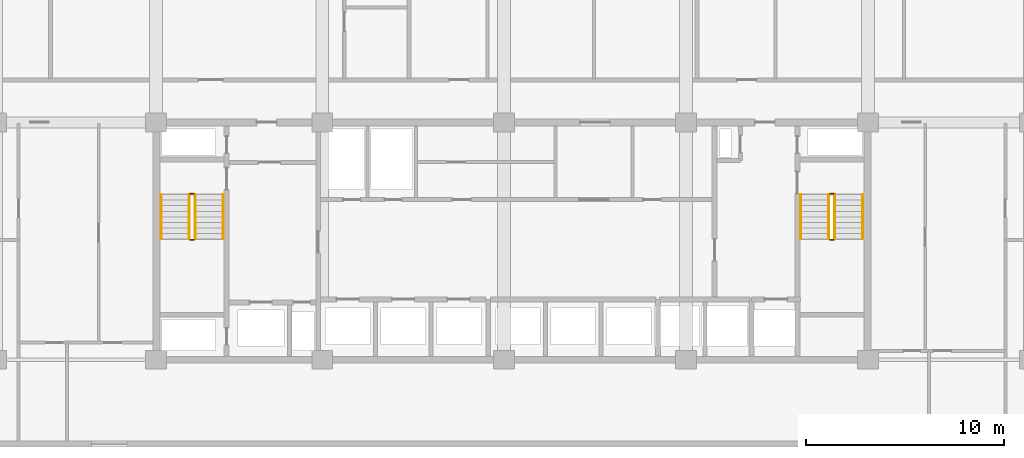
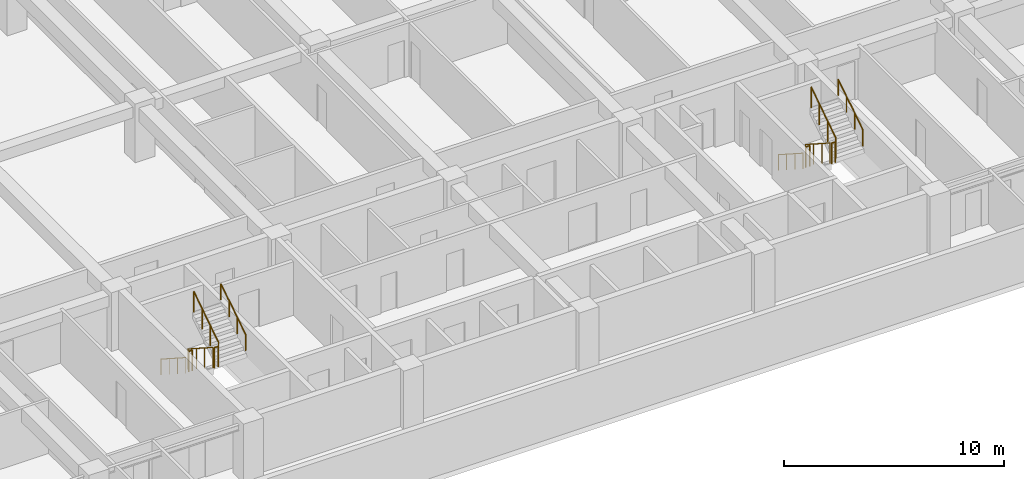
# One storey, part 23 of 24: 12 railings.
"""IFC4 building model written with IfcOpenShell, lengths in metres."""

from ifc_helpers import new_model, si_unit, direction, frame, origin, origin_2d, place, context, subcontext, project, spatial, circle, extrude, material, type_object, element, save


model = new_model("IFC4")

# Units and contexts
model_context = context("Model", 3, precision=1e-05, world=origin(), true_north=direction((0.0, 1.0)))
body_context = subcontext(model_context, "Body", "Model", "MODEL_VIEW")
ifc_project = project(units=[si_unit("LENGTHUNIT", "METRE"), si_unit("AREAUNIT", "SQUARE_METRE"), si_unit("VOLUMEUNIT", "CUBIC_METRE"), si_unit("PLANEANGLEUNIT", "RADIAN"), si_unit("MASSUNIT", "GRAM", prefix="KILO")], contexts=[model_context])

# Site, building, storey
site_placement = place(None, origin())
site = spatial("IfcSite", under=ifc_project, at=site_placement, CompositionType="ELEMENT")
building_placement = place(site_placement, origin())
building = spatial("IfcBuilding", under=site, at=building_placement, Name="Korimba Cascade Residences", CompositionType="ELEMENT")
storey_placement = place(building_placement, frame((0.0, 0.0, 43.5)))
storey = spatial("IfcBuildingStorey", under=building, at=storey_placement, Name="L11", CompositionType="ELEMENT", Elevation=43.5)

# Railings
ifc_material_1 = material(Name="Painted Steel Stairwell Guardrail", Category="steel")
railing_type_1 = type_object("IfcRailingType", Name="RLG-ST-GD1150", PredefinedType="GUARDRAIL", material=ifc_material_1)
railing_1_placement = place(storey_placement, frame((77.77001953125, 63.550048828125, 0.1806640625)))
element("IfcRailing", 1, at=railing_1_placement, inside=storey, type_object=railing_type_1, Name="L11 ST-W1 stair guard 1", PredefinedType="GUARDRAIL", context=body_context, shape_type="SweptSolid", body=[
    extrude(circle(Radius=0.02392578125, at=origin_2d()), frame((0.0, 0.0, 1.1259765625), z_axis=(0.0, -0.840436612492, 0.541909863706), x_axis=(1.0, 0.0, 0.0)), (0.0, 0.0, 1.0), 2.665283203125),
    extrude(circle(Radius=0.02099609375, at=origin_2d()), origin(), (0.0, 0.0, 1.0), 1.101806640625),
    extrude(circle(Radius=0.02099609375, at=origin_2d()), frame((0.0, -0.74658203125, 0.4814453125)), (0.0, 0.0, 1.0), 1.101806640625),
    extrude(circle(Radius=0.02099609375, at=origin_2d()), frame((0.0, -1.493408203125, 0.962890625)), (0.0, 0.0, 1.0), 1.101806640625),
    extrude(circle(Radius=0.02099609375, at=origin_2d()), frame((0.0, -2.239990234375, 1.4443359375)), (0.0, 0.0, 1.0), 1.101806640625),
])
railing_2_placement = place(storey_placement, frame((77.820068359375, 61.260009765625, 1.625)))
element("IfcRailing", 2, at=railing_2_placement, inside=storey, type_object=railing_type_1, Name="L11 ST-W1 stair guard 2", PredefinedType="GUARDRAIL", context=body_context, shape_type="SweptSolid", body=[
    extrude(circle(Radius=0.02392578125, at=origin_2d()), frame((0.0, 0.0, 1.1259765625), z_axis=(1.0, 0.0, 0.0), x_axis=(0.0, 1.0, 0.0)), (0.0, 0.0, 1.0), 0.199951171875),
    extrude(circle(Radius=0.02099609375, at=origin_2d()), origin(), (0.0, 0.0, 1.0), 1.101806640625),
    extrude(circle(Radius=0.02099609375, at=origin_2d()), frame((0.199951171875, 0.0, 0.0)), (0.0, 0.0, 1.0), 1.101806640625),
])
railing_3_placement = place(storey_placement, frame((78.070068359375, 61.31005859375, 1.8056640625)))
element("IfcRailing", 3, at=railing_3_placement, inside=storey, type_object=railing_type_1, Name="L11 ST-W1 stair guard 3", PredefinedType="GUARDRAIL", context=body_context, shape_type="SweptSolid", body=[
    extrude(circle(Radius=0.02392578125, at=origin_2d()), frame((0.0, 0.0, 1.1259765625), z_axis=(0.0, 0.840436612492, 0.541909863706), x_axis=(-1.0, 0.0, 0.0)), (0.0, 0.0, 1.0), 2.665283203125),
    extrude(circle(Radius=0.02099609375, at=origin_2d()), origin(), (0.0, 0.0, 1.0), 1.101806640625),
    extrude(circle(Radius=0.02099609375, at=origin_2d()), frame((0.0, 0.74658203125, 0.4814453125)), (0.0, 0.0, 1.0), 1.101806640625),
    extrude(circle(Radius=0.02099609375, at=origin_2d()), frame((0.0, 1.493408203125, 0.962890625)), (0.0, 0.0, 1.0), 1.101806640625),
    extrude(circle(Radius=0.02099609375, at=origin_2d()), frame((0.0, 2.239990234375, 1.4443359375)), (0.0, 0.0, 1.0), 1.101806640625),
])
railing_4_placement = place(storey_placement, frame((77.820068359375, 63.60009765625, 0.0)))
element("IfcRailing", 4, at=railing_4_placement, inside=storey, type_object=railing_type_1, Name="L11 ST-W1 stair guard 4", PredefinedType="GUARDRAIL", context=body_context, shape_type="SweptSolid", body=[
    extrude(circle(Radius=0.02392578125, at=origin_2d()), frame((0.0, 0.0, 1.1259765625), z_axis=(1.0, 0.0, 0.0), x_axis=(0.0, 1.0, 0.0)), (0.0, 0.0, 1.0), 0.199951171875),
    extrude(circle(Radius=0.02099609375, at=origin_2d()), origin(), (0.0, 0.0, 1.0), 1.101806640625),
    extrude(circle(Radius=0.02099609375, at=origin_2d()), frame((0.199951171875, 0.0, 0.0)), (0.0, 0.0, 1.0), 1.101806640625),
])
railing_5_placement = place(storey_placement, frame((110.1298828125, 63.550048828125, 0.1806640625)))
element("IfcRailing", 5, at=railing_5_placement, inside=storey, type_object=railing_type_1, Name="L11 ST-W2 stair guard 1", PredefinedType="GUARDRAIL", context=body_context, shape_type="SweptSolid", body=[
    extrude(circle(Radius=0.02392578125, at=origin_2d()), frame((0.0, 0.0, 1.1259765625), z_axis=(0.0, -0.840436612492, 0.541909863706), x_axis=(1.0, 0.0, 0.0)), (0.0, 0.0, 1.0), 2.665283203125),
    extrude(circle(Radius=0.02099609375, at=origin_2d()), origin(), (0.0, 0.0, 1.0), 1.101806640625),
    extrude(circle(Radius=0.02099609375, at=origin_2d()), frame((0.0, -0.74658203125, 0.4814453125)), (0.0, 0.0, 1.0), 1.101806640625),
    extrude(circle(Radius=0.02099609375, at=origin_2d()), frame((0.0, -1.493408203125, 0.962890625)), (0.0, 0.0, 1.0), 1.101806640625),
    extrude(circle(Radius=0.02099609375, at=origin_2d()), frame((0.0, -2.239990234375, 1.4443359375)), (0.0, 0.0, 1.0), 1.101806640625),
])
railing_6_placement = place(storey_placement, frame((110.179931640625, 61.260009765625, 1.625)))
element("IfcRailing", 6, at=railing_6_placement, inside=storey, type_object=railing_type_1, Name="L11 ST-W2 stair guard 2", PredefinedType="GUARDRAIL", context=body_context, shape_type="SweptSolid", body=[
    extrude(circle(Radius=0.02392578125, at=origin_2d()), frame((0.0, 0.0, 1.1259765625), z_axis=(1.0, 0.0, 0.0), x_axis=(0.0, 1.0, 0.0)), (0.0, 0.0, 1.0), 0.199951171875),
    extrude(circle(Radius=0.02099609375, at=origin_2d()), origin(), (0.0, 0.0, 1.0), 1.101806640625),
    extrude(circle(Radius=0.02099609375, at=origin_2d()), frame((0.199951171875, 0.0, 0.0)), (0.0, 0.0, 1.0), 1.101806640625),
])
railing_7_placement = place(storey_placement, frame((110.429931640625, 61.31005859375, 1.8056640625)))
element("IfcRailing", 7, at=railing_7_placement, inside=storey, type_object=railing_type_1, Name="L11 ST-W2 stair guard 3", PredefinedType="GUARDRAIL", context=body_context, shape_type="SweptSolid", body=[
    extrude(circle(Radius=0.02392578125, at=origin_2d()), frame((0.0, 0.0, 1.1259765625), z_axis=(0.0, 0.840436612492, 0.541909863706), x_axis=(-1.0, 0.0, 0.0)), (0.0, 0.0, 1.0), 2.665283203125),
    extrude(circle(Radius=0.02099609375, at=origin_2d()), origin(), (0.0, 0.0, 1.0), 1.101806640625),
    extrude(circle(Radius=0.02099609375, at=origin_2d()), frame((0.0, 0.74658203125, 0.4814453125)), (0.0, 0.0, 1.0), 1.101806640625),
    extrude(circle(Radius=0.02099609375, at=origin_2d()), frame((0.0, 1.493408203125, 0.962890625)), (0.0, 0.0, 1.0), 1.101806640625),
    extrude(circle(Radius=0.02099609375, at=origin_2d()), frame((0.0, 2.239990234375, 1.4443359375)), (0.0, 0.0, 1.0), 1.101806640625),
])
railing_8_placement = place(storey_placement, frame((110.179931640625, 63.60009765625, 0.0)))
element("IfcRailing", 8, at=railing_8_placement, inside=storey, type_object=railing_type_1, Name="L11 ST-W2 stair guard 4", PredefinedType="GUARDRAIL", context=body_context, shape_type="SweptSolid", body=[
    extrude(circle(Radius=0.02392578125, at=origin_2d()), frame((0.0, 0.0, 1.1259765625), z_axis=(1.0, 0.0, 0.0), x_axis=(0.0, 1.0, 0.0)), (0.0, 0.0, 1.0), 0.199951171875),
    extrude(circle(Radius=0.02099609375, at=origin_2d()), origin(), (0.0, 0.0, 1.0), 1.101806640625),
    extrude(circle(Radius=0.02099609375, at=origin_2d()), frame((0.199951171875, 0.0, 0.0)), (0.0, 0.0, 1.0), 1.101806640625),
])
ifc_material_2 = material(Name="Brushed Stainless Steel Handrail", Category="steel")
railing_type_2 = type_object("IfcRailingType", Name="RLG-ST-HR900", PredefinedType="HANDRAIL", material=ifc_material_2)
railing_9_placement = place(storey_placement, frame((76.35009765625, 63.550048828125, 0.364990234375)))
element("IfcRailing", 9, at=railing_9_placement, inside=storey, type_object=railing_type_2, Name="L11 ST-W1 stair handrail 1", PredefinedType="HANDRAIL", context=body_context, shape_type="SweptSolid", body=[
    extrude(circle(Radius=0.02392578125, at=origin_2d()), frame((0.0, 0.0, 0.8759765625), z_axis=(0.0, -0.840436612492, 0.541909863706), x_axis=(1.0, 0.0, 0.0)), (0.0, 0.0, 1.0), 2.665283203125),
    extrude(circle(Radius=0.02099609375, at=origin_2d()), origin(), (0.0, 0.0, 1.0), 0.851806640625),
    extrude(circle(Radius=0.02099609375, at=origin_2d()), frame((0.0, -0.74658203125, 0.4814453125)), (0.0, 0.0, 1.0), 0.851806640625),
    extrude(circle(Radius=0.02099609375, at=origin_2d()), frame((0.0, -1.493408203125, 0.962890625)), (0.0, 0.0, 1.0), 0.851806640625),
    extrude(circle(Radius=0.02099609375, at=origin_2d()), frame((0.0, -2.239990234375, 1.4443359375)), (0.0, 0.0, 1.0), 0.851806640625),
])
railing_10_placement = place(storey_placement, frame((79.489990234375, 61.31005859375, 1.989990234375)))
element("IfcRailing", 10, at=railing_10_placement, inside=storey, type_object=railing_type_2, Name="L11 ST-W1 stair handrail 2", PredefinedType="HANDRAIL", context=body_context, shape_type="SweptSolid", body=[
    extrude(circle(Radius=0.02392578125, at=origin_2d()), frame((0.0, 0.0, 0.8759765625), z_axis=(0.0, 0.840436612492, 0.541909863706), x_axis=(-1.0, 0.0, 0.0)), (0.0, 0.0, 1.0), 2.665283203125),
    extrude(circle(Radius=0.02099609375, at=origin_2d()), origin(), (0.0, 0.0, 1.0), 0.851806640625),
    extrude(circle(Radius=0.02099609375, at=origin_2d()), frame((0.0, 0.74658203125, 0.4814453125)), (0.0, 0.0, 1.0), 0.851806640625),
    extrude(circle(Radius=0.02099609375, at=origin_2d()), frame((0.0, 1.493408203125, 0.962890625)), (0.0, 0.0, 1.0), 0.851806640625),
    extrude(circle(Radius=0.02099609375, at=origin_2d()), frame((0.0, 2.239990234375, 1.4443359375)), (0.0, 0.0, 1.0), 0.851806640625),
])
railing_11_placement = place(storey_placement, frame((108.7099609375, 63.550048828125, 0.364990234375)))
element("IfcRailing", 11, at=railing_11_placement, inside=storey, type_object=railing_type_2, Name="L11 ST-W2 stair handrail 1", PredefinedType="HANDRAIL", context=body_context, shape_type="SweptSolid", body=[
    extrude(circle(Radius=0.02392578125, at=origin_2d()), frame((0.0, 0.0, 0.8759765625), z_axis=(0.0, -0.840436612492, 0.541909863706), x_axis=(1.0, 0.0, 0.0)), (0.0, 0.0, 1.0), 2.665283203125),
    extrude(circle(Radius=0.02099609375, at=origin_2d()), origin(), (0.0, 0.0, 1.0), 0.851806640625),
    extrude(circle(Radius=0.02099609375, at=origin_2d()), frame((0.0, -0.74658203125, 0.4814453125)), (0.0, 0.0, 1.0), 0.851806640625),
    extrude(circle(Radius=0.02099609375, at=origin_2d()), frame((0.0, -1.493408203125, 0.962890625)), (0.0, 0.0, 1.0), 0.851806640625),
    extrude(circle(Radius=0.02099609375, at=origin_2d()), frame((0.0, -2.239990234375, 1.4443359375)), (0.0, 0.0, 1.0), 0.851806640625),
])
railing_12_placement = place(storey_placement, frame((111.85009765625, 61.31005859375, 1.989990234375)))
element("IfcRailing", 12, at=railing_12_placement, inside=storey, type_object=railing_type_2, Name="L11 ST-W2 stair handrail 2", PredefinedType="HANDRAIL", context=body_context, shape_type="SweptSolid", body=[
    extrude(circle(Radius=0.02392578125, at=origin_2d()), frame((0.0, 0.0, 0.8759765625), z_axis=(0.0, 0.840436612492, 0.541909863706), x_axis=(-1.0, 0.0, 0.0)), (0.0, 0.0, 1.0), 2.665283203125),
    extrude(circle(Radius=0.02099609375, at=origin_2d()), origin(), (0.0, 0.0, 1.0), 0.851806640625),
    extrude(circle(Radius=0.02099609375, at=origin_2d()), frame((0.0, 0.74658203125, 0.4814453125)), (0.0, 0.0, 1.0), 0.851806640625),
    extrude(circle(Radius=0.02099609375, at=origin_2d()), frame((0.0, 1.493408203125, 0.962890625)), (0.0, 0.0, 1.0), 0.851806640625),
    extrude(circle(Radius=0.02099609375, at=origin_2d()), frame((0.0, 2.239990234375, 1.4443359375)), (0.0, 0.0, 1.0), 0.851806640625),
])

save(model, "model.ifc")
